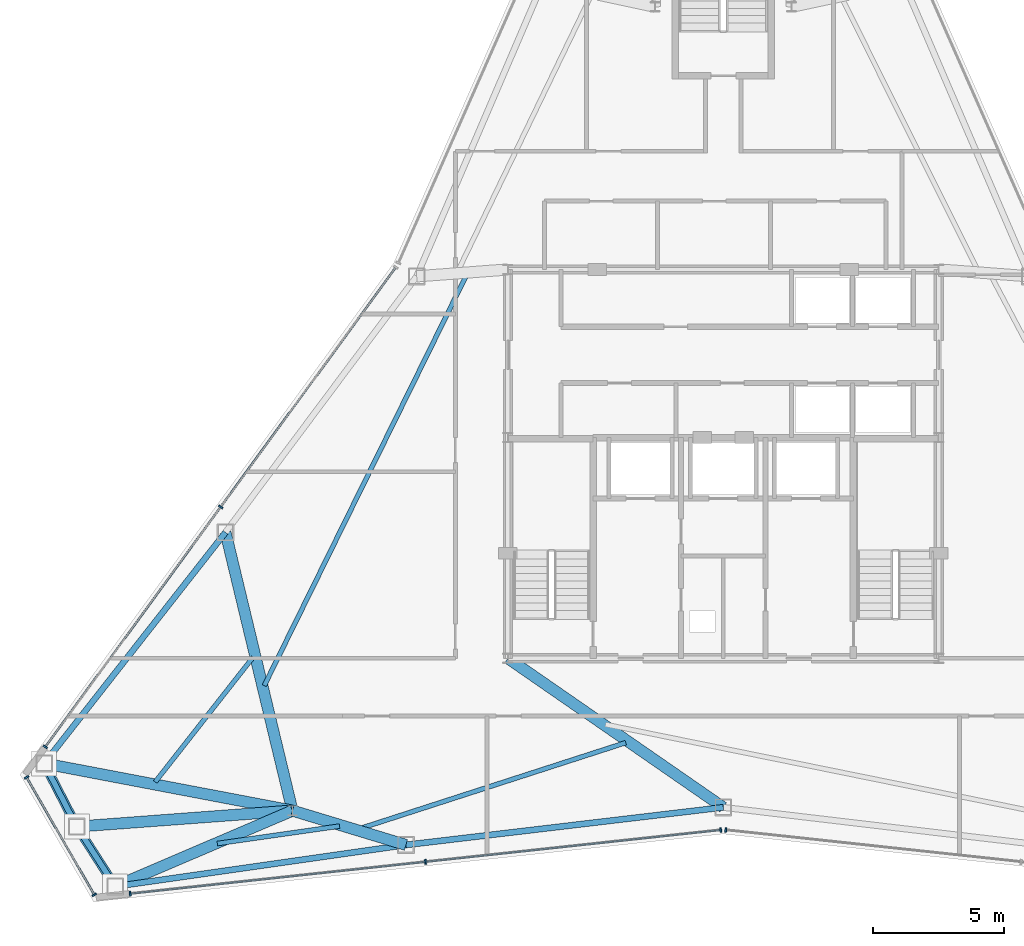
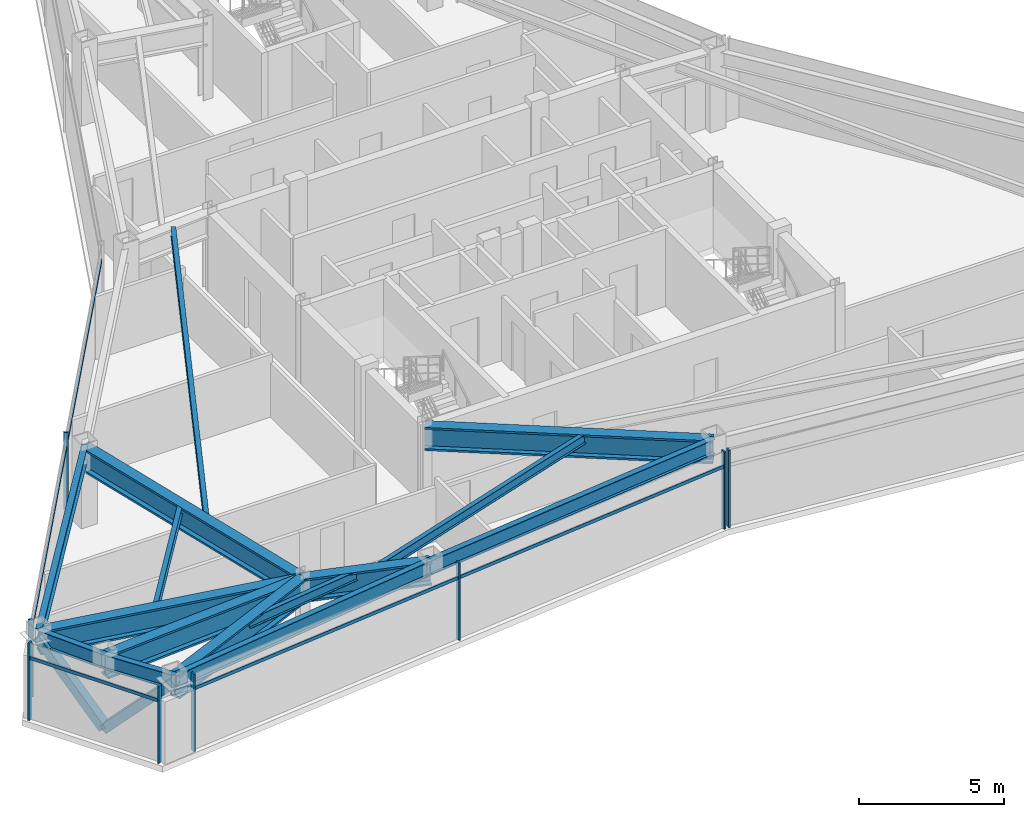
# One storey, part 3 of 12: 15 beams, 13 members, 4 elements without a shape of their own.
"""IFC4 building model written with IfcOpenShell, lengths in metres."""

from ifc_helpers import new_model, si_unit, direction, frame, origin, origin_2d, place, context, subcontext, project, spatial, rectangle, hollow_rectangle, i_section, extrude, source, transform, mapped, material, layer, layer_set, material_profile, profile_set, type_object, type_shapes, element, aggregate, save


model = new_model("IFC4")

# Units and contexts
model_context = context("Model", 3, precision=1e-05, world=origin(), true_north=direction((0.0, 1.0)))
body_context = subcontext(model_context, "Body", "Model", "MODEL_VIEW")
ifc_project = project(units=[si_unit("LENGTHUNIT", "METRE"), si_unit("AREAUNIT", "SQUARE_METRE"), si_unit("VOLUMEUNIT", "CUBIC_METRE"), si_unit("PLANEANGLEUNIT", "RADIAN"), si_unit("MASSUNIT", "GRAM", prefix="KILO")], contexts=[model_context])

# Site, building, storey
site_placement = place(None, origin())
site = spatial("IfcSite", under=ifc_project, at=site_placement, CompositionType="ELEMENT")
building_placement = place(site_placement, origin())
building = spatial("IfcBuilding", under=site, at=building_placement, Name="Varakhsha Concourse Tower", CompositionType="ELEMENT")
storey_placement = place(building_placement, frame((0.0, 0.0, 272.5)))
storey = spatial("IfcBuildingStorey", under=building, at=storey_placement, Name="L77", CompositionType="ELEMENT", Elevation=272.5)

# Beams
ifc_material_1 = material(Name="Structural Steel ASTM A992 Grade 50", Category="steel")
ifc_material_profile_1 = material_profile(ifc_material_1, i_section(OverallWidth=0.177978515625, OverallDepth=0.406982421875, WebThickness=0.008056640625, FlangeThickness=0.012939453125, at=origin_2d()), Name="W16X40")
ifc_profile_set_1 = profile_set([ifc_material_profile_1], Name="Structural Steel ASTM A992 Grade 50")
beam_type_1 = type_object("IfcBeamType", Name="BM-JST-W16X40", PredefinedType="JOIST", material=ifc_profile_set_1)
beam_1_placement = place(storey_placement, frame((30.22412109375, 30.986083984375, 3.04638671875), z_axis=(-0.441851842642, -0.897088038686, 0.0), x_axis=(0.897088038686, -0.441851842642, 0.0)))
element("IfcBeam", 1, at=beam_1_placement, inside=storey, type_object=beam_type_1, Name="BM-TJST-L77-05", PredefinedType="JOIST", context=body_context, shape_type="SweptSolid", body=[
    extrude(i_section(OverallWidth=0.177978515625, OverallDepth=0.406982421875, WebThickness=0.008056640625, FlangeThickness=0.012939453125, at=origin_2d()), origin(), (0.0, 0.0, 1.0), 17.419921875),
])
beam_2_placement = place(storey_placement, frame((22.1044921875, 16.444580078125, 3.04638671875), z_axis=(-0.617368066023, -0.786674437779, 0.0), x_axis=(0.786674437779, -0.617368066023, 0.0)))
element("IfcBeam", 2, at=beam_2_placement, inside=storey, type_object=beam_type_1, Name="BM-TJST-L77-06", PredefinedType="JOIST", context=body_context, shape_type="SweptSolid", body=[
    extrude(i_section(OverallWidth=0.177978515625, OverallDepth=0.406982421875, WebThickness=0.008056640625, FlangeThickness=0.012939453125, at=origin_2d()), origin(), (0.0, 0.0, 1.0), 6.04052734375),
])
beam_3_placement = place(storey_placement, frame((20.739990234375, 9.345703125, 3.04638671875), z_axis=(0.989964036021, 0.141319522304, 0.0), x_axis=(-0.141319522304, 0.989964036021, 0.0)))
element("IfcBeam", 3, at=beam_3_placement, inside=storey, type_object=beam_type_1, Name="BM-TJST-L77-09", PredefinedType="JOIST", context=body_context, shape_type="SweptSolid", body=[
    extrude(i_section(OverallWidth=0.177978515625, OverallDepth=0.406982421875, WebThickness=0.008056640625, FlangeThickness=0.012939453125, at=origin_2d()), origin(), (0.0, 0.0, 1.0), 4.698974609375),
])
beam_4_placement = place(storey_placement, frame((26.123779296875, 9.902587890625, 3.04638671875), z_axis=(0.951535046043, 0.307540332561, 0.0), x_axis=(-0.307540332561, 0.951535046043, 0.0)))
element("IfcBeam", 4, at=beam_4_placement, inside=storey, type_object=beam_type_1, Name="BM-TJST-L77-10", PredefinedType="JOIST", context=body_context, shape_type="SweptSolid", body=[
    extrude(i_section(OverallWidth=0.177978515625, OverallDepth=0.406982421875, WebThickness=0.008056640625, FlangeThickness=0.012939453125, at=origin_2d()), origin(), (0.0, 0.0, 1.0), 10.68115234375),
])
ifc_material_profile_2 = material_profile(ifc_material_1, i_section(OverallWidth=0.22900390625, OverallDepth=0.612060546875, WebThickness=0.011962890625, FlangeThickness=0.02001953125, at=origin_2d()), Name="W24X84")
ifc_profile_set_2 = profile_set([ifc_material_profile_2], Name="Structural Steel ASTM A992 Grade 50")
beam_type_2 = type_object("IfcBeamType", Name="BM-SPAN-W24X84", PredefinedType="SPANDREL", material=ifc_profile_set_2)
beam_5_placement = place(storey_placement, frame((21.05078125, 21.191162109375, 2.944091796875), z_axis=(-0.617389378054, -0.786657712011, 0.0), x_axis=(0.786657712011, -0.617389378054, 0.0)))
element("IfcBeam", 5, at=beam_5_placement, inside=storey, type_object=beam_type_2, Name="BM-SPAN-L77-06", PredefinedType="SPANDREL", context=body_context, shape_type="SweptSolid", body=[
    extrude(i_section(OverallWidth=0.22900390625, OverallDepth=0.612060546875, WebThickness=0.011962890625, FlangeThickness=0.02001953125, at=origin_2d()), origin(), (0.0, 0.0, 1.0), 11.179443359375),
])
for number, where, z_axis, x_axis, name in (
    (6, (14.148681640625, 12.396728515625, 2.944091796875), (0.458649812349, -0.888617099561, 0.0), (0.888617099561, 0.458649812349, 0.0), "BM-SPAN-L77-07"),
    (7, (15.39013671875, 9.991455078125, 2.944091796875), (0.540192188796, -0.841541679992, 0.0), (0.841541679992, 0.540192188796, 0.0), "BM-SPAN-L77-08"),
):
    element("IfcBeam", number, at=place(storey_placement, frame(where, z_axis=z_axis, x_axis=x_axis)), inside=storey, type_object=beam_type_2, Name=name, PredefinedType="SPANDREL", context=body_context, shape_type="SweptSolid", body=[
        extrude(i_section(OverallWidth=0.22900390625, OverallDepth=0.612060546875, WebThickness=0.011962890625, FlangeThickness=0.02001953125, at=origin_2d()), origin(), (0.0, 0.0, 1.0), 2.706787109375),
    ])
beam_6_placement = place(storey_placement, frame((16.852294921875, 7.713623046875, 2.944091796875), z_axis=(0.989958663525, 0.141357152321, 0.0), x_axis=(-0.141357152321, 0.989958663525, 0.0)))
element("IfcBeam", 8, at=beam_6_placement, inside=storey, type_object=beam_type_2, Name="BM-SPAN-L77-09", PredefinedType="SPANDREL", context=body_context, shape_type="SweptSolid", body=[
    extrude(i_section(OverallWidth=0.22900390625, OverallDepth=0.612060546875, WebThickness=0.011962890625, FlangeThickness=0.02001953125, at=origin_2d()), origin(), (0.0, 0.0, 1.0), 11.1796875),
])
beam_7_placement = place(storey_placement, frame((27.919677734375, 9.2939453125, 2.944091796875), z_axis=(0.993069539855, 0.117528247719, 0.0), x_axis=(-0.117528247719, 0.993069539855, 0.0)))
element("IfcBeam", 9, at=beam_7_placement, inside=storey, type_object=beam_type_2, Name="BM-SPAN-L77-10", PredefinedType="SPANDREL", context=body_context, shape_type="SweptSolid", body=[
    extrude(i_section(OverallWidth=0.22900390625, OverallDepth=0.612060546875, WebThickness=0.011962890625, FlangeThickness=0.02001953125, at=origin_2d()), origin(), (0.0, 0.0, 1.0), 12.16455078125),
])
ifc_material_profile_3 = material_profile(ifc_material_1, i_section(OverallWidth=0.427978515625, OverallDepth=0.97509765625, WebThickness=0.050048828125, FlangeThickness=0.0810546875, at=origin_2d()), Name="W36X395")
ifc_profile_set_3 = profile_set([ifc_material_profile_3], Name="Structural Steel ASTM A992 Grade 50")
beam_type_3 = type_object("IfcBeamType", Name="BM-XFER-W36X395", PredefinedType="USERDEFINED", material=ifc_profile_set_3)
beam_8_placement = place(storey_placement, frame((23.60009765625, 10.60009765625, 2.762451171875), z_axis=(-0.234020493668, 0.97223166403, 0.0), x_axis=(-0.97223166403, -0.234020493668, 0.0)))
element("IfcBeam", 10, at=beam_8_placement, inside=storey, type_object=beam_type_3, Name="L77 Radial Floor Girder 06", ObjectType="GIRDER", PredefinedType="USERDEFINED", context=body_context, shape_type="SweptSolid", body=[
    extrude(i_section(OverallWidth=0.427978515625, OverallDepth=0.97509765625, WebThickness=0.050048828125, FlangeThickness=0.0810546875, at=origin_2d()), origin(), (0.0, 0.0, 1.0), 10.8935546875),
])
beam_9_placement = place(storey_placement, frame((23.60009765625, 10.60009765625, 2.762451171875), z_axis=(-0.982408020767, 0.186747103681, 0.0), x_axis=(-0.186747103681, -0.982408020767, 0.0)))
element("IfcBeam", 11, at=beam_9_placement, inside=storey, type_object=beam_type_3, Name="L77 Radial Floor Girder 07", ObjectType="GIRDER", PredefinedType="USERDEFINED", context=body_context, shape_type="SweptSolid", body=[
    extrude(i_section(OverallWidth=0.427978515625, OverallDepth=0.97509765625, WebThickness=0.050048828125, FlangeThickness=0.0810546875, at=origin_2d()), origin(), (0.0, 0.0, 1.0), 9.62060546875),
])
beam_10_placement = place(storey_placement, frame((23.60009765625, 10.60009765625, 2.762451171875), z_axis=(-0.997263302263, -0.073931765569, 0.0), x_axis=(0.073931765569, -0.997263302263, 0.0)))
element("IfcBeam", 12, at=beam_10_placement, inside=storey, type_object=beam_type_3, Name="L77 Radial Floor Girder 08", ObjectType="GIRDER", PredefinedType="USERDEFINED", context=body_context, shape_type="SweptSolid", body=[
    extrude(i_section(OverallWidth=0.427978515625, OverallDepth=0.97509765625, WebThickness=0.050048828125, FlangeThickness=0.0810546875, at=origin_2d()), origin(), (0.0, 0.0, 1.0), 8.232421875),
])
beam_11_placement = place(storey_placement, frame((23.60009765625, 10.60009765625, 2.762451171875), z_axis=(-0.91941323133, -0.393292906184, 0.0), x_axis=(0.393292906184, -0.91941323133, 0.0)))
element("IfcBeam", 13, at=beam_11_placement, inside=storey, type_object=beam_type_3, Name="L77 Radial Floor Girder 09", ObjectType="GIRDER", PredefinedType="USERDEFINED", context=body_context, shape_type="SweptSolid", body=[
    extrude(i_section(OverallWidth=0.427978515625, OverallDepth=0.97509765625, WebThickness=0.050048828125, FlangeThickness=0.0810546875, at=origin_2d()), origin(), (0.0, 0.0, 1.0), 7.33935546875),
])
beam_12_placement = place(storey_placement, frame((23.60009765625, 10.60009765625, 2.762451171875), z_axis=(0.957197136996, -0.289436764988, 0.0), x_axis=(0.289436764988, 0.957197136996, 0.0)))
element("IfcBeam", 14, at=beam_12_placement, inside=storey, type_object=beam_type_3, Name="L77 Radial Floor Girder 10", ObjectType="GIRDER", PredefinedType="USERDEFINED", context=body_context, shape_type="SweptSolid", body=[
    extrude(i_section(OverallWidth=0.427978515625, OverallDepth=0.97509765625, WebThickness=0.050048828125, FlangeThickness=0.0810546875, at=origin_2d()), origin(), (0.0, 0.0, 1.0), 4.5126953125),
])
beam_13_placement = place(storey_placement, frame((31.800048828125, 16.39990234375, 2.762451171875), z_axis=(0.822221273218, -0.569167969819, 0.0), x_axis=(0.569167969819, 0.822221273218, 0.0)))
element("IfcBeam", 15, at=beam_13_placement, inside=storey, type_object=beam_type_3, Name="L77 Radial Floor Girder 11", ObjectType="GIRDER", PredefinedType="USERDEFINED", context=body_context, shape_type="SweptSolid", body=[
    extrude(i_section(OverallWidth=0.427978515625, OverallDepth=0.97509765625, WebThickness=0.050048828125, FlangeThickness=0.0810546875, at=origin_2d()), origin(), (0.0, 0.0, 1.0), 9.972900390625),
])

# Members
ifc_material_2 = material(Name="Structural Steel ASTM A500 Grade C", Category="steel")
ifc_material_profile_4 = material_profile(ifc_material_2, hollow_rectangle(XDim=0.35009765625, YDim=0.35009765625, WallThickness=0.01611328125, at=origin_2d()), Name="HSS 350x350x16")
ifc_profile_set_4 = profile_set([ifc_material_profile_4], Name="Structural Steel ASTM A500 Grade C")
member_type_1 = type_object("IfcMemberType", Name="MB-TUBE-HSS350", PredefinedType="BRACE", material=ifc_profile_set_4)
shared_shape_1 = source(origin(), body_context, "Body", "SweptSolid", [
    extrude(hollow_rectangle(XDim=0.35009765625, YDim=0.35009765625, WallThickness=0.01611328125, at=origin_2d()), origin(), (0.0, 0.0, 1.0), 3.916015625),
])
type_shapes(member_type_1, [shared_shape_1])
for number, where, z_axis, x_axis, name in (
    (16, (15.39013671875, 9.991455078125, 0.1201171875), (-0.317026844456, 0.614227821352, 0.722646637971), (-0.888617099561, -0.458649812349, 0.0), "L77 Wind-Corner Tube Brace B03"),
    (17, (15.39013671875, 9.991455078125, 0.1201171875), (0.373388702082, -0.581685855806, 0.722649598569), (0.841541679992, 0.540192188796, 0.0), "L77 Wind-Corner Tube Brace B04"),
):
    element("IfcMember", number, at=place(storey_placement, frame(where, z_axis=z_axis, x_axis=x_axis)), inside=storey, type_object=member_type_1, Name=name, PredefinedType="BRACE", context=body_context, shape_type="MappedRepresentation", body=[
        mapped(shared_shape_1, transform((0.0, 0.0, 0.0), scale=1.0)),
    ])

# Curtain wall, members
ifc_material_3 = material(Name="Anodised Bronze Architectural Aluminium AA 6063-T6", Category="aluminium")
ifc_layer = layer(ifc_material_3, 0.199951171875, Name="CW-SYS-05")
ifc_layer_set = layer_set([ifc_layer], Name="Anodised Bronze Architectural Aluminium AA 6063-T6")
curtain_wall_type = type_object("IfcCurtainWallType", Name="CW-SYS-05", PredefinedType="NOTDEFINED", material=ifc_layer_set)
curtain_wall_1_placement = place(storey_placement, origin())
curtain_wall_1 = element("IfcCurtainWall", 18, at=curtain_wall_1_placement, inside=storey, type_object=curtain_wall_type, Name="L77 Crystal Curtain Wall F3", PredefinedType="NOTDEFINED")
ifc_material_profile_5 = material_profile(ifc_material_3, rectangle(XDim=0.06494140625, YDim=0.179931640625, at=origin_2d()), Name="CWM-180X65")
ifc_profile_set_5 = profile_set([ifc_material_profile_5], Name="Anodised Bronze Architectural Aluminium AA 6063-T6")
member_type_2 = type_object("IfcMemberType", Name="CWM-180X65", PredefinedType="MULLION", material=ifc_profile_set_5)
shared_shape_2 = source(origin(), body_context, "Body", "SweptSolid", [
    extrude(rectangle(XDim=0.06494140625, YDim=0.179931640625, at=origin_2d()), origin(), (0.0, 0.0, 1.0), 3.25),
])
type_shapes(member_type_2, [shared_shape_2])
member_1_placement = place(storey_placement, frame((14.195068359375, 13.028564453125, 0.0), z_axis=(0.0, 0.0, 1.0), x_axis=(0.589960426558, 0.807432161296, 0.0)))
member_1 = element("IfcMember", 19, at=member_1_placement, type_object=member_type_2, Name="CW-L77-F3 Mullion 00", PredefinedType="MULLION", context=body_context, shape_type="MappedRepresentation", body=[
    mapped(shared_shape_2, transform((0.0, 0.0, 0.0), scale=1.0)),
])
member_2_placement = place(storey_placement, frame((20.86474609375, 22.15673828125, 0.0), z_axis=(0.0, 0.0, 1.0), x_axis=(0.589960426558, 0.807432161296, 0.0)))
member_2 = element("IfcMember", 20, at=member_2_placement, type_object=member_type_2, Name="CW-L77-F3 Mullion 01", PredefinedType="MULLION", context=body_context, shape_type="MappedRepresentation", body=[
    mapped(shared_shape_2, transform((0.0, 0.0, 0.0), scale=1.0)),
])

curtain_wall_2_placement = place(storey_placement, origin())
curtain_wall_2 = element("IfcCurtainWall", 21, at=curtain_wall_2_placement, inside=storey, type_object=curtain_wall_type, Name="L77 Chamfer Curtain Wall F4", PredefinedType="NOTDEFINED")
member_3_placement = place(storey_placement, frame((16.056640625, 7.397216796875, 0.0), z_axis=(0.0, 0.0, 1.0), x_axis=(-0.499990930976, 0.866030639725, 0.0)))
member_3 = element("IfcMember", 22, at=member_3_placement, type_object=member_type_2, Name="CW-L77-F4 Mullion 00", PredefinedType="MULLION", context=body_context, shape_type="MappedRepresentation", body=[
    mapped(shared_shape_2, transform((0.0, 0.0, 0.0), scale=1.0)),
])
member_4_placement = place(storey_placement, frame((13.476806640625, 11.865966796875, 0.0), z_axis=(0.0, 0.0, 1.0), x_axis=(-0.499990930976, 0.866030639725, 0.0)))
member_4 = element("IfcMember", 23, at=member_4_placement, type_object=member_type_2, Name="CW-L77-F4 Mullion 01", PredefinedType="MULLION", context=body_context, shape_type="MappedRepresentation", body=[
    mapped(shared_shape_2, transform((0.0, 0.0, 0.0), scale=1.0)),
])

curtain_wall_3_placement = place(storey_placement, origin())
curtain_wall_3 = element("IfcCurtainWall", 24, at=curtain_wall_3_placement, inside=storey, type_object=curtain_wall_type, Name="L77 Crystal Curtain Wall F5", PredefinedType="NOTDEFINED")
member_5_placement = place(storey_placement, frame((39.9033203125, 9.862060546875, 0.0), z_axis=(0.0, 0.0, 1.0), x_axis=(-0.994236415458, -0.10720984179, 0.0)))
member_5 = element("IfcMember", 25, at=member_5_placement, type_object=member_type_2, Name="CW-L77-F5 Mullion 00", PredefinedType="MULLION", context=body_context, shape_type="MappedRepresentation", body=[
    mapped(shared_shape_2, transform((0.0, 0.0, 0.0), scale=1.0)),
])
member_6_placement = place(storey_placement, frame((28.6630859375, 8.650146484375, 0.0), z_axis=(0.0, 0.0, 1.0), x_axis=(-0.994236415458, -0.10720984179, 0.0)))
member_6 = element("IfcMember", 26, at=member_6_placement, type_object=member_type_2, Name="CW-L77-F5 Mullion 01", PredefinedType="MULLION", context=body_context, shape_type="MappedRepresentation", body=[
    mapped(shared_shape_2, transform((0.0, 0.0, 0.0), scale=1.0)),
])
member_7_placement = place(storey_placement, frame((17.4228515625, 7.43798828125, 0.0), z_axis=(0.0, 0.0, 1.0), x_axis=(-0.994236415458, -0.10720984179, 0.0)))
member_7 = element("IfcMember", 27, at=member_7_placement, type_object=member_type_2, Name="CW-L77-F5 Mullion 02", PredefinedType="MULLION", context=body_context, shape_type="MappedRepresentation", body=[
    mapped(shared_shape_2, transform((0.0, 0.0, 0.0), scale=1.0)),
])

# Curtain wall, member
curtain_wall_4_placement = place(storey_placement, origin())
curtain_wall_4 = element("IfcCurtainWall", 28, at=curtain_wall_4_placement, inside=storey, type_object=curtain_wall_type, Name="L77 Crystal Curtain Wall F6", PredefinedType="NOTDEFINED")
member_8_placement = place(storey_placement, frame((40.0966796875, 9.862060546875, 0.0), z_axis=(0.0, 0.0, 1.0), x_axis=(-0.994236415458, 0.10720984179, 0.0)))
member_8 = element("IfcMember", 29, at=member_8_placement, type_object=member_type_2, Name="CW-L77-F6 Mullion 02", PredefinedType="MULLION", context=body_context, shape_type="MappedRepresentation", body=[
    mapped(shared_shape_2, transform((0.0, 0.0, 0.0), scale=1.0)),
])
aggregate(curtain_wall_4, [member_8])

# Member
ifc_material_profile_6 = material_profile(ifc_material_3, rectangle(XDim=0.06005859375, YDim=0.139892578125, at=origin_2d()), Name="CWT-140X60")
ifc_profile_set_6 = profile_set([ifc_material_profile_6], Name="Anodised Bronze Architectural Aluminium AA 6063-T6")
member_type_3 = type_object("IfcMemberType", Name="CWT-140X60", PredefinedType="USERDEFINED", material=ifc_profile_set_6)
shared_shape_3 = source(origin(), body_context, "Body", "SweptSolid", [
    extrude(rectangle(XDim=0.06005859375, YDim=0.139892578125, at=origin_2d()), origin(), (0.0, 0.0, 1.0), 22.61083984375),
])
member_9_placement = place(storey_placement, frame((14.195068359375, 13.028564453125, 2.60009765625), z_axis=(0.589965963721, 0.807428115469, 0.0), x_axis=(-0.807428115469, 0.589965963721, 0.0)))
member_9 = element("IfcMember", 30, at=member_9_placement, type_object=member_type_3, Name="CW-L77-F3 Transom 01", ObjectType="TRANSOM", PredefinedType="USERDEFINED", context=body_context, shape_type="MappedRepresentation", body=[
    mapped(shared_shape_3, transform((0.0, 0.0, 0.0), scale=1.0)),
])

aggregate(curtain_wall_1, [member_1, member_2, member_9])

member_10_placement = place(storey_placement, frame((39.9033203125, 9.862060546875, 2.60009765625), z_axis=(-0.994236541478, -0.107208673114, 0.0), x_axis=(0.107208673114, -0.994236541478, 0.0)))
member_10 = element("IfcMember", 31, at=member_10_placement, type_object=member_type_3, Name="CW-L77-F5 Transom 01", ObjectType="TRANSOM", PredefinedType="USERDEFINED", context=body_context, shape_type="MappedRepresentation", body=[
    mapped(shared_shape_3, transform((0.0, 0.0, 0.0), scale=1.0)),
])

aggregate(curtain_wall_3, [member_5, member_6, member_7, member_10])

shared_shape_4 = source(origin(), body_context, "Body", "SweptSolid", [
    extrude(rectangle(XDim=0.06005859375, YDim=0.139892578125, at=origin_2d()), origin(), (0.0, 0.0, 1.0), 5.159912109375),
])
type_shapes(member_type_3, [shared_shape_3, shared_shape_4])
member_11_placement = place(storey_placement, frame((16.056640625, 7.397216796875, 2.60009765625), z_axis=(-0.499970925255, 0.866042189445, 0.0), x_axis=(-0.866042189445, -0.499970925255, 0.0)))
member_11 = element("IfcMember", 32, at=member_11_placement, type_object=member_type_3, Name="CW-L77-F4 Transom 01", ObjectType="TRANSOM", PredefinedType="USERDEFINED", context=body_context, shape_type="MappedRepresentation", body=[
    mapped(shared_shape_4, transform((0.0, 0.0, 0.0), scale=1.0)),
])

aggregate(curtain_wall_2, [member_3, member_4, member_11])

save(model, "model.ifc")
